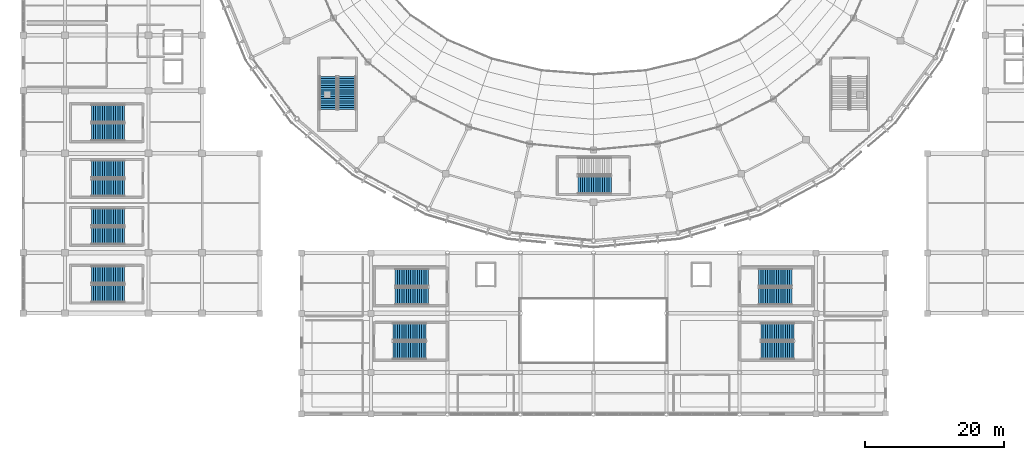
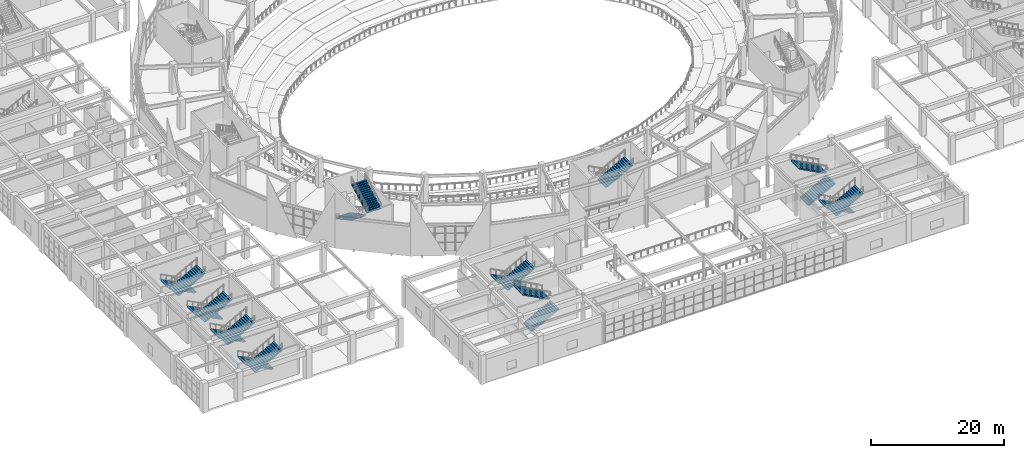
# One storey, part 86 of 120: 19 stair flights, 10 elements without a shape of their own.
"""IFC4 building model written with IfcOpenShell, lengths in metres."""

from ifc_helpers import new_model, si_unit, direction, frame, origin, place, context, subcontext, project, spatial, polyline, outline, extrude, material, type_object, element, aggregate, save


model = new_model("IFC4")

# Units and contexts
model_context = context("Model", 3, precision=1e-05, world=origin(), true_north=direction((0.0, 1.0)))
body_context = subcontext(model_context, "Body", "Model", "MODEL_VIEW")
ifc_project = project(units=[si_unit("LENGTHUNIT", "METRE"), si_unit("AREAUNIT", "SQUARE_METRE"), si_unit("VOLUMEUNIT", "CUBIC_METRE"), si_unit("PLANEANGLEUNIT", "RADIAN"), si_unit("MASSUNIT", "GRAM", prefix="KILO")], contexts=[model_context])

# Site, building, storey
site_placement = place(None, origin())
site = spatial("IfcSite", under=ifc_project, at=site_placement, CompositionType="ELEMENT")
building_placement = place(site_placement, origin())
building = spatial("IfcBuilding", under=site, at=building_placement, Name="Cuetzalor Civic Arena", CompositionType="ELEMENT")
storey_placement = place(building_placement, frame((0.0, 0.0, 6.0)))
storey = spatial("IfcBuildingStorey", under=building, at=storey_placement, Name="L01", CompositionType="ELEMENT", Elevation=6.0)

# Stair, stair flights
ifc_material_1 = material(Name="Precast concrete C40/50", Category="concrete")
stair_type = type_object("IfcStairType", Name="EnclosedExitStair_H540", PredefinedType="HALF_TURN_STAIR", material=ifc_material_1)
stair_1_placement = place(storey_placement, origin())
stair_1 = element("IfcStair", 1, at=stair_1_placement, inside=storey, type_object=stair_type, Name="L01 Enclosed Exit Stair ST-06", PredefinedType="HALF_TURN_STAIR")
ifc_material_2 = material(Name="Precast concrete C40/50", Category="concrete")
stair_flight_type = type_object("IfcStairFlightType", Name="ExitStairFlight_H540", PredefinedType="STRAIGHT", material=ifc_material_2)
stair_flight_1_placement = place(storey_placement, frame((-38.14990234375, -22.949951171875, 0.0), z_axis=(0.0, 0.0, 1.0), x_axis=(0.0, -1.0, 0.0)))
stair_flight_1 = element("IfcStairFlight", 2, at=stair_flight_1_placement, type_object=stair_flight_type, Name="ST-06 flight 1", NumberOfRisers=16, NumberOfTreads=15, PredefinedType="STRAIGHT", RiserHeight=0.16875, TreadLength=0.318, context=body_context, shape_type="SweptSolid", body=[
    extrude(outline(polyline([(0.0, 0.0), (0.0, 0.168701171875), (0.318115234375, 0.168701171875), (0.318115234375, 0.33740234375), (0.635986328125, 0.33740234375), (0.635986328125, 0.50634765625), (0.9541015625, 0.50634765625), (0.9541015625, 0.675048828125), (1.27197265625, 0.675048828125), (1.27197265625, 0.84375), (1.590087890625, 0.84375), (1.590087890625, 1.012451171875), (1.907958984375, 1.012451171875), (1.907958984375, 1.18115234375), (2.22607421875, 1.18115234375), (2.22607421875, 1.35009765625), (2.5439453125, 1.35009765625), (2.5439453125, 1.518798828125), (2.862060546875, 1.518798828125), (2.862060546875, 1.6875), (3.179931640625, 1.6875), (3.179931640625, 1.856201171875), (3.498046875, 1.856201171875), (3.498046875, 2.02490234375), (3.81591796875, 2.02490234375), (3.81591796875, 2.19384765625), (4.134033203125, 2.19384765625), (4.134033203125, 2.362548828125), (4.451904296875, 2.362548828125), (4.451904296875, 2.53125), (4.77001953125, 2.53125), (4.77001953125, 2.699951171875), (4.77001953125, 2.32763671875), (0.3837890625, 0.0), (0.0, 0.0)])), frame((0.0, 1.25, 0.0), z_axis=(0.0, -1.0, 0.0), x_axis=(1.0, 0.0, 0.0)), (0.0, 0.0, 1.0), 2.5),
])
stair_flight_2_placement = place(storey_placement, frame((-35.449951171875, -27.719970703125, 2.699951171875), z_axis=(0.0, 0.0, 1.0), x_axis=(0.0, 1.0, 0.0)))
stair_flight_2 = element("IfcStairFlight", 3, at=stair_flight_2_placement, type_object=stair_flight_type, Name="ST-06 flight 2", NumberOfRisers=16, NumberOfTreads=15, PredefinedType="STRAIGHT", RiserHeight=0.16875, TreadLength=0.318, context=body_context, shape_type="SweptSolid", body=[
    extrude(outline(polyline([(0.0, 0.0), (0.0, 0.168701171875), (0.318115234375, 0.168701171875), (0.318115234375, 0.33740234375), (0.635986328125, 0.33740234375), (0.635986328125, 0.50634765625), (0.9541015625, 0.50634765625), (0.9541015625, 0.675048828125), (1.27197265625, 0.675048828125), (1.27197265625, 0.84375), (1.590087890625, 0.84375), (1.590087890625, 1.012451171875), (1.907958984375, 1.012451171875), (1.907958984375, 1.18115234375), (2.22607421875, 1.18115234375), (2.22607421875, 1.35009765625), (2.5439453125, 1.35009765625), (2.5439453125, 1.518798828125), (2.862060546875, 1.518798828125), (2.862060546875, 1.6875), (3.179931640625, 1.6875), (3.179931640625, 1.856201171875), (3.498046875, 1.856201171875), (3.498046875, 2.02490234375), (3.81591796875, 2.02490234375), (3.81591796875, 2.19384765625), (4.134033203125, 2.19384765625), (4.134033203125, 2.362548828125), (4.451904296875, 2.362548828125), (4.451904296875, 2.53125), (4.77001953125, 2.53125), (4.77001953125, 2.699951171875), (4.77001953125, 2.32763671875), (0.3837890625, 0.0), (0.0, 0.0)])), frame((0.0, 1.25, 0.0), z_axis=(0.0, -1.0, 0.0), x_axis=(1.0, 0.0, 0.0)), (0.0, 0.0, 1.0), 2.5),
])
aggregate(stair_1, [stair_flight_1, stair_flight_2])

# Stair, stair flight
stair_2_placement = place(storey_placement, origin())
stair_2 = element("IfcStair", 4, at=stair_2_placement, inside=storey, type_object=stair_type, Name="L01 Enclosed Exit Stair ST-07", PredefinedType="HALF_TURN_STAIR")
stair_flight_3_placement = place(storey_placement, frame((-2.219970703125, -38.550048828125, 2.699951171875), z_axis=(0.0, 0.0, 1.0), x_axis=(1.0, 0.0, 0.0)))
stair_flight_3 = element("IfcStairFlight", 5, at=stair_flight_3_placement, type_object=stair_flight_type, Name="ST-07 flight 2", NumberOfRisers=16, NumberOfTreads=15, PredefinedType="STRAIGHT", RiserHeight=0.16875, TreadLength=0.318, context=body_context, shape_type="SweptSolid", body=[
    extrude(outline(polyline([(0.0, 0.0), (0.0, 0.168701171875), (0.318115234375, 0.168701171875), (0.318115234375, 0.33740234375), (0.635986328125, 0.33740234375), (0.635986328125, 0.50634765625), (0.9541015625, 0.50634765625), (0.9541015625, 0.675048828125), (1.27197265625, 0.675048828125), (1.27197265625, 0.84375), (1.590087890625, 0.84375), (1.590087890625, 1.012451171875), (1.907958984375, 1.012451171875), (1.907958984375, 1.18115234375), (2.22607421875, 1.18115234375), (2.22607421875, 1.35009765625), (2.5439453125, 1.35009765625), (2.5439453125, 1.518798828125), (2.862060546875, 1.518798828125), (2.862060546875, 1.6875), (3.179931640625, 1.6875), (3.179931640625, 1.856201171875), (3.498046875, 1.856201171875), (3.498046875, 2.02490234375), (3.81591796875, 2.02490234375), (3.81591796875, 2.19384765625), (4.134033203125, 2.19384765625), (4.134033203125, 2.362548828125), (4.451904296875, 2.362548828125), (4.451904296875, 2.53125), (4.77001953125, 2.53125), (4.77001953125, 2.699951171875), (4.77001953125, 2.32763671875), (0.3837890625, 0.0), (0.0, 0.0)])), frame((0.0, 1.25, 0.0), z_axis=(0.0, -1.0, 0.0), x_axis=(1.0, 0.0, 0.0)), (0.0, 0.0, 1.0), 2.5),
])
aggregate(stair_2, [stair_flight_3])

# Stair, stair flights
stair_3_placement = place(storey_placement, origin())
stair_3 = element("IfcStair", 6, at=stair_3_placement, inside=storey, type_object=stair_type, Name="L01 Enclosed Exit Stair ST-09", PredefinedType="HALF_TURN_STAIR")
stair_flight_4_placement = place(storey_placement, frame((-28.85009765625, -62.35009765625, 0.0), z_axis=(0.0, 0.0, 1.0), x_axis=(1.0, 0.0, 0.0)))
stair_flight_4 = element("IfcStairFlight", 7, at=stair_flight_4_placement, type_object=stair_flight_type, Name="ST-09 flight 1", NumberOfRisers=16, NumberOfTreads=15, PredefinedType="STRAIGHT", RiserHeight=0.16875, TreadLength=0.318, context=body_context, shape_type="SweptSolid", body=[
    extrude(outline(polyline([(0.0, 0.0), (0.0, 0.168701171875), (0.318115234375, 0.168701171875), (0.318115234375, 0.33740234375), (0.635986328125, 0.33740234375), (0.635986328125, 0.50634765625), (0.9541015625, 0.50634765625), (0.9541015625, 0.675048828125), (1.27197265625, 0.675048828125), (1.27197265625, 0.84375), (1.590087890625, 0.84375), (1.590087890625, 1.012451171875), (1.907958984375, 1.012451171875), (1.907958984375, 1.18115234375), (2.22607421875, 1.18115234375), (2.22607421875, 1.35009765625), (2.5439453125, 1.35009765625), (2.5439453125, 1.518798828125), (2.862060546875, 1.518798828125), (2.862060546875, 1.6875), (3.179931640625, 1.6875), (3.179931640625, 1.856201171875), (3.498046875, 1.856201171875), (3.498046875, 2.02490234375), (3.81591796875, 2.02490234375), (3.81591796875, 2.19384765625), (4.134033203125, 2.19384765625), (4.134033203125, 2.362548828125), (4.451904296875, 2.362548828125), (4.451904296875, 2.53125), (4.77001953125, 2.53125), (4.77001953125, 2.699951171875), (4.77001953125, 2.32763671875), (0.3837890625, 0.0), (0.0, 0.0)])), frame((0.0, 1.25, 0.0), z_axis=(0.0, -1.0, 0.0), x_axis=(1.0, 0.0, 0.0)), (0.0, 0.0, 1.0), 2.5),
])
stair_flight_5_placement = place(storey_placement, frame((-24.080078125, -59.64990234375, 2.699951171875), z_axis=(0.0, 0.0, 1.0), x_axis=(-1.0, 0.0, 0.0)))
stair_flight_5 = element("IfcStairFlight", 8, at=stair_flight_5_placement, type_object=stair_flight_type, Name="ST-09 flight 2", NumberOfRisers=16, NumberOfTreads=15, PredefinedType="STRAIGHT", RiserHeight=0.16875, TreadLength=0.318, context=body_context, shape_type="SweptSolid", body=[
    extrude(outline(polyline([(0.0, 0.0), (0.0, 0.168701171875), (0.318115234375, 0.168701171875), (0.318115234375, 0.33740234375), (0.635986328125, 0.33740234375), (0.635986328125, 0.50634765625), (0.9541015625, 0.50634765625), (0.9541015625, 0.675048828125), (1.27197265625, 0.675048828125), (1.27197265625, 0.84375), (1.590087890625, 0.84375), (1.590087890625, 1.012451171875), (1.907958984375, 1.012451171875), (1.907958984375, 1.18115234375), (2.22607421875, 1.18115234375), (2.22607421875, 1.35009765625), (2.5439453125, 1.35009765625), (2.5439453125, 1.518798828125), (2.862060546875, 1.518798828125), (2.862060546875, 1.6875), (3.179931640625, 1.6875), (3.179931640625, 1.856201171875), (3.498046875, 1.856201171875), (3.498046875, 2.02490234375), (3.81591796875, 2.02490234375), (3.81591796875, 2.19384765625), (4.134033203125, 2.19384765625), (4.134033203125, 2.362548828125), (4.451904296875, 2.362548828125), (4.451904296875, 2.53125), (4.77001953125, 2.53125), (4.77001953125, 2.699951171875), (4.77001953125, 2.32763671875), (0.3837890625, 0.0), (0.0, 0.0)])), frame((0.0, 1.25, 0.0), z_axis=(0.0, -1.0, 0.0), x_axis=(1.0, 0.0, 0.0)), (0.0, 0.0, 1.0), 2.5),
])
aggregate(stair_3, [stair_flight_4, stair_flight_5])

stair_4_placement = place(storey_placement, origin())
stair_4 = element("IfcStair", 9, at=stair_4_placement, inside=storey, type_object=stair_type, Name="L01 Enclosed Exit Stair ST-10", PredefinedType="HALF_TURN_STAIR")
stair_flight_6_placement = place(storey_placement, frame((-23.75, -51.85009765625, 0.0), z_axis=(0.0, 0.0, 1.0), x_axis=(-1.0, 0.0, 0.0)))
stair_flight_6 = element("IfcStairFlight", 10, at=stair_flight_6_placement, type_object=stair_flight_type, Name="ST-10 flight 1", NumberOfRisers=16, NumberOfTreads=15, PredefinedType="STRAIGHT", RiserHeight=0.16875, TreadLength=0.318, context=body_context, shape_type="SweptSolid", body=[
    extrude(outline(polyline([(0.0, 0.0), (0.0, 0.168701171875), (0.318115234375, 0.168701171875), (0.318115234375, 0.33740234375), (0.635986328125, 0.33740234375), (0.635986328125, 0.50634765625), (0.9541015625, 0.50634765625), (0.9541015625, 0.675048828125), (1.27197265625, 0.675048828125), (1.27197265625, 0.84375), (1.590087890625, 0.84375), (1.590087890625, 1.012451171875), (1.907958984375, 1.012451171875), (1.907958984375, 1.18115234375), (2.22607421875, 1.18115234375), (2.22607421875, 1.35009765625), (2.5439453125, 1.35009765625), (2.5439453125, 1.518798828125), (2.862060546875, 1.518798828125), (2.862060546875, 1.6875), (3.179931640625, 1.6875), (3.179931640625, 1.856201171875), (3.498046875, 1.856201171875), (3.498046875, 2.02490234375), (3.81591796875, 2.02490234375), (3.81591796875, 2.19384765625), (4.134033203125, 2.19384765625), (4.134033203125, 2.362548828125), (4.451904296875, 2.362548828125), (4.451904296875, 2.53125), (4.77001953125, 2.53125), (4.77001953125, 2.699951171875), (4.77001953125, 2.32763671875), (0.3837890625, 0.0), (0.0, 0.0)])), frame((0.0, 1.25, 0.0), z_axis=(0.0, -1.0, 0.0), x_axis=(1.0, 0.0, 0.0)), (0.0, 0.0, 1.0), 2.5),
])
stair_flight_7_placement = place(storey_placement, frame((-28.52001953125, -54.550048828125, 2.699951171875), z_axis=(0.0, 0.0, 1.0), x_axis=(1.0, 0.0, 0.0)))
stair_flight_7 = element("IfcStairFlight", 11, at=stair_flight_7_placement, type_object=stair_flight_type, Name="ST-10 flight 2", NumberOfRisers=16, NumberOfTreads=15, PredefinedType="STRAIGHT", RiserHeight=0.16875, TreadLength=0.318, context=body_context, shape_type="SweptSolid", body=[
    extrude(outline(polyline([(0.0, 0.0), (0.0, 0.168701171875), (0.318115234375, 0.168701171875), (0.318115234375, 0.33740234375), (0.635986328125, 0.33740234375), (0.635986328125, 0.50634765625), (0.9541015625, 0.50634765625), (0.9541015625, 0.675048828125), (1.27197265625, 0.675048828125), (1.27197265625, 0.84375), (1.590087890625, 0.84375), (1.590087890625, 1.012451171875), (1.907958984375, 1.012451171875), (1.907958984375, 1.18115234375), (2.22607421875, 1.18115234375), (2.22607421875, 1.35009765625), (2.5439453125, 1.35009765625), (2.5439453125, 1.518798828125), (2.862060546875, 1.518798828125), (2.862060546875, 1.6875), (3.179931640625, 1.6875), (3.179931640625, 1.856201171875), (3.498046875, 1.856201171875), (3.498046875, 2.02490234375), (3.81591796875, 2.02490234375), (3.81591796875, 2.19384765625), (4.134033203125, 2.19384765625), (4.134033203125, 2.362548828125), (4.451904296875, 2.362548828125), (4.451904296875, 2.53125), (4.77001953125, 2.53125), (4.77001953125, 2.699951171875), (4.77001953125, 2.32763671875), (0.3837890625, 0.0), (0.0, 0.0)])), frame((0.0, 1.25, 0.0), z_axis=(0.0, -1.0, 0.0), x_axis=(1.0, 0.0, 0.0)), (0.0, 0.0, 1.0), 2.5),
])
aggregate(stair_4, [stair_flight_6, stair_flight_7])

stair_5_placement = place(storey_placement, origin())
stair_5 = element("IfcStair", 12, at=stair_5_placement, inside=storey, type_object=stair_type, Name="L01 Enclosed Exit Stair ST-11", PredefinedType="HALF_TURN_STAIR")
stair_flight_8_placement = place(storey_placement, frame((23.75, -54.550048828125, 0.0), z_axis=(0.0, 0.0, 1.0), x_axis=(1.0, 0.0, 0.0)))
stair_flight_8 = element("IfcStairFlight", 13, at=stair_flight_8_placement, type_object=stair_flight_type, Name="ST-11 flight 1", NumberOfRisers=16, NumberOfTreads=15, PredefinedType="STRAIGHT", RiserHeight=0.16875, TreadLength=0.318, context=body_context, shape_type="SweptSolid", body=[
    extrude(outline(polyline([(0.0, 0.0), (0.0, 0.168701171875), (0.318115234375, 0.168701171875), (0.318115234375, 0.33740234375), (0.635986328125, 0.33740234375), (0.635986328125, 0.50634765625), (0.9541015625, 0.50634765625), (0.9541015625, 0.675048828125), (1.27197265625, 0.675048828125), (1.27197265625, 0.84375), (1.590087890625, 0.84375), (1.590087890625, 1.012451171875), (1.907958984375, 1.012451171875), (1.907958984375, 1.18115234375), (2.22607421875, 1.18115234375), (2.22607421875, 1.35009765625), (2.5439453125, 1.35009765625), (2.5439453125, 1.518798828125), (2.862060546875, 1.518798828125), (2.862060546875, 1.6875), (3.179931640625, 1.6875), (3.179931640625, 1.856201171875), (3.498046875, 1.856201171875), (3.498046875, 2.02490234375), (3.81591796875, 2.02490234375), (3.81591796875, 2.19384765625), (4.134033203125, 2.19384765625), (4.134033203125, 2.362548828125), (4.451904296875, 2.362548828125), (4.451904296875, 2.53125), (4.77001953125, 2.53125), (4.77001953125, 2.699951171875), (4.77001953125, 2.32763671875), (0.3837890625, 0.0), (0.0, 0.0)])), frame((0.0, 1.25, 0.0), z_axis=(0.0, -1.0, 0.0), x_axis=(1.0, 0.0, 0.0)), (0.0, 0.0, 1.0), 2.5),
])
stair_flight_9_placement = place(storey_placement, frame((28.52001953125, -51.85009765625, 2.699951171875), z_axis=(0.0, 0.0, 1.0), x_axis=(-1.0, 0.0, 0.0)))
stair_flight_9 = element("IfcStairFlight", 14, at=stair_flight_9_placement, type_object=stair_flight_type, Name="ST-11 flight 2", NumberOfRisers=16, NumberOfTreads=15, PredefinedType="STRAIGHT", RiserHeight=0.16875, TreadLength=0.318, context=body_context, shape_type="SweptSolid", body=[
    extrude(outline(polyline([(0.0, 0.0), (0.0, 0.168701171875), (0.318115234375, 0.168701171875), (0.318115234375, 0.33740234375), (0.635986328125, 0.33740234375), (0.635986328125, 0.50634765625), (0.9541015625, 0.50634765625), (0.9541015625, 0.675048828125), (1.27197265625, 0.675048828125), (1.27197265625, 0.84375), (1.590087890625, 0.84375), (1.590087890625, 1.012451171875), (1.907958984375, 1.012451171875), (1.907958984375, 1.18115234375), (2.22607421875, 1.18115234375), (2.22607421875, 1.35009765625), (2.5439453125, 1.35009765625), (2.5439453125, 1.518798828125), (2.862060546875, 1.518798828125), (2.862060546875, 1.6875), (3.179931640625, 1.6875), (3.179931640625, 1.856201171875), (3.498046875, 1.856201171875), (3.498046875, 2.02490234375), (3.81591796875, 2.02490234375), (3.81591796875, 2.19384765625), (4.134033203125, 2.19384765625), (4.134033203125, 2.362548828125), (4.451904296875, 2.362548828125), (4.451904296875, 2.53125), (4.77001953125, 2.53125), (4.77001953125, 2.699951171875), (4.77001953125, 2.32763671875), (0.3837890625, 0.0), (0.0, 0.0)])), frame((0.0, 1.25, 0.0), z_axis=(0.0, -1.0, 0.0), x_axis=(1.0, 0.0, 0.0)), (0.0, 0.0, 1.0), 2.5),
])
aggregate(stair_5, [stair_flight_8, stair_flight_9])

stair_6_placement = place(storey_placement, origin())
stair_6 = element("IfcStair", 15, at=stair_6_placement, inside=storey, type_object=stair_type, Name="L01 Enclosed Exit Stair ST-12", PredefinedType="HALF_TURN_STAIR")
stair_flight_10_placement = place(storey_placement, frame((28.85009765625, -59.64990234375, 0.0), z_axis=(0.0, 0.0, 1.0), x_axis=(-1.0, 0.0, 0.0)))
stair_flight_10 = element("IfcStairFlight", 16, at=stair_flight_10_placement, type_object=stair_flight_type, Name="ST-12 flight 1", NumberOfRisers=16, NumberOfTreads=15, PredefinedType="STRAIGHT", RiserHeight=0.16875, TreadLength=0.318, context=body_context, shape_type="SweptSolid", body=[
    extrude(outline(polyline([(0.0, 0.0), (0.0, 0.168701171875), (0.318115234375, 0.168701171875), (0.318115234375, 0.33740234375), (0.635986328125, 0.33740234375), (0.635986328125, 0.50634765625), (0.9541015625, 0.50634765625), (0.9541015625, 0.675048828125), (1.27197265625, 0.675048828125), (1.27197265625, 0.84375), (1.590087890625, 0.84375), (1.590087890625, 1.012451171875), (1.907958984375, 1.012451171875), (1.907958984375, 1.18115234375), (2.22607421875, 1.18115234375), (2.22607421875, 1.35009765625), (2.5439453125, 1.35009765625), (2.5439453125, 1.518798828125), (2.862060546875, 1.518798828125), (2.862060546875, 1.6875), (3.179931640625, 1.6875), (3.179931640625, 1.856201171875), (3.498046875, 1.856201171875), (3.498046875, 2.02490234375), (3.81591796875, 2.02490234375), (3.81591796875, 2.19384765625), (4.134033203125, 2.19384765625), (4.134033203125, 2.362548828125), (4.451904296875, 2.362548828125), (4.451904296875, 2.53125), (4.77001953125, 2.53125), (4.77001953125, 2.699951171875), (4.77001953125, 2.32763671875), (0.3837890625, 0.0), (0.0, 0.0)])), frame((0.0, 1.25, 0.0), z_axis=(0.0, -1.0, 0.0), x_axis=(1.0, 0.0, 0.0)), (0.0, 0.0, 1.0), 2.5),
])
stair_flight_11_placement = place(storey_placement, frame((24.080078125, -62.35009765625, 2.699951171875), z_axis=(0.0, 0.0, 1.0), x_axis=(1.0, 0.0, 0.0)))
stair_flight_11 = element("IfcStairFlight", 17, at=stair_flight_11_placement, type_object=stair_flight_type, Name="ST-12 flight 2", NumberOfRisers=16, NumberOfTreads=15, PredefinedType="STRAIGHT", RiserHeight=0.16875, TreadLength=0.318, context=body_context, shape_type="SweptSolid", body=[
    extrude(outline(polyline([(0.0, 0.0), (0.0, 0.168701171875), (0.318115234375, 0.168701171875), (0.318115234375, 0.33740234375), (0.635986328125, 0.33740234375), (0.635986328125, 0.50634765625), (0.9541015625, 0.50634765625), (0.9541015625, 0.675048828125), (1.27197265625, 0.675048828125), (1.27197265625, 0.84375), (1.590087890625, 0.84375), (1.590087890625, 1.012451171875), (1.907958984375, 1.012451171875), (1.907958984375, 1.18115234375), (2.22607421875, 1.18115234375), (2.22607421875, 1.35009765625), (2.5439453125, 1.35009765625), (2.5439453125, 1.518798828125), (2.862060546875, 1.518798828125), (2.862060546875, 1.6875), (3.179931640625, 1.6875), (3.179931640625, 1.856201171875), (3.498046875, 1.856201171875), (3.498046875, 2.02490234375), (3.81591796875, 2.02490234375), (3.81591796875, 2.19384765625), (4.134033203125, 2.19384765625), (4.134033203125, 2.362548828125), (4.451904296875, 2.362548828125), (4.451904296875, 2.53125), (4.77001953125, 2.53125), (4.77001953125, 2.699951171875), (4.77001953125, 2.32763671875), (0.3837890625, 0.0), (0.0, 0.0)])), frame((0.0, 1.25, 0.0), z_axis=(0.0, -1.0, 0.0), x_axis=(1.0, 0.0, 0.0)), (0.0, 0.0, 1.0), 2.5),
])
aggregate(stair_6, [stair_flight_10, stair_flight_11])

stair_7_placement = place(storey_placement, origin())
stair_7 = element("IfcStair", 18, at=stair_7_placement, inside=storey, type_object=stair_type, Name="L01 Enclosed Exit Stair ST-13", PredefinedType="HALF_TURN_STAIR")
stair_flight_12_placement = place(storey_placement, frame((-67.449951171875, -51.449951171875, 0.0), z_axis=(0.0, 0.0, 1.0), x_axis=(-1.0, 0.0, 0.0)))
stair_flight_12 = element("IfcStairFlight", 19, at=stair_flight_12_placement, type_object=stair_flight_type, Name="ST-13 flight 1", NumberOfRisers=16, NumberOfTreads=15, PredefinedType="STRAIGHT", RiserHeight=0.16875, TreadLength=0.318, context=body_context, shape_type="SweptSolid", body=[
    extrude(outline(polyline([(0.0, 0.0), (0.0, 0.168701171875), (0.318115234375, 0.168701171875), (0.318115234375, 0.33740234375), (0.635986328125, 0.33740234375), (0.635986328125, 0.50634765625), (0.9541015625, 0.50634765625), (0.9541015625, 0.675048828125), (1.27197265625, 0.675048828125), (1.27197265625, 0.84375), (1.590087890625, 0.84375), (1.590087890625, 1.012451171875), (1.907958984375, 1.012451171875), (1.907958984375, 1.18115234375), (2.22607421875, 1.18115234375), (2.22607421875, 1.35009765625), (2.5439453125, 1.35009765625), (2.5439453125, 1.518798828125), (2.862060546875, 1.518798828125), (2.862060546875, 1.6875), (3.179931640625, 1.6875), (3.179931640625, 1.856201171875), (3.498046875, 1.856201171875), (3.498046875, 2.02490234375), (3.81591796875, 2.02490234375), (3.81591796875, 2.19384765625), (4.134033203125, 2.19384765625), (4.134033203125, 2.362548828125), (4.451904296875, 2.362548828125), (4.451904296875, 2.53125), (4.77001953125, 2.53125), (4.77001953125, 2.699951171875), (4.77001953125, 2.32763671875), (0.3837890625, 0.0), (0.0, 0.0)])), frame((0.0, 1.25, 0.0), z_axis=(0.0, -1.0, 0.0), x_axis=(1.0, 0.0, 0.0)), (0.0, 0.0, 1.0), 2.5),
])
stair_flight_13_placement = place(storey_placement, frame((-72.219970703125, -54.14990234375, 2.699951171875), z_axis=(0.0, 0.0, 1.0), x_axis=(1.0, 0.0, 0.0)))
stair_flight_13 = element("IfcStairFlight", 20, at=stair_flight_13_placement, type_object=stair_flight_type, Name="ST-13 flight 2", NumberOfRisers=16, NumberOfTreads=15, PredefinedType="STRAIGHT", RiserHeight=0.16875, TreadLength=0.318, context=body_context, shape_type="SweptSolid", body=[
    extrude(outline(polyline([(0.0, 0.0), (0.0, 0.168701171875), (0.318115234375, 0.168701171875), (0.318115234375, 0.33740234375), (0.635986328125, 0.33740234375), (0.635986328125, 0.50634765625), (0.9541015625, 0.50634765625), (0.9541015625, 0.675048828125), (1.27197265625, 0.675048828125), (1.27197265625, 0.84375), (1.590087890625, 0.84375), (1.590087890625, 1.012451171875), (1.907958984375, 1.012451171875), (1.907958984375, 1.18115234375), (2.22607421875, 1.18115234375), (2.22607421875, 1.35009765625), (2.5439453125, 1.35009765625), (2.5439453125, 1.518798828125), (2.862060546875, 1.518798828125), (2.862060546875, 1.6875), (3.179931640625, 1.6875), (3.179931640625, 1.856201171875), (3.498046875, 1.856201171875), (3.498046875, 2.02490234375), (3.81591796875, 2.02490234375), (3.81591796875, 2.19384765625), (4.134033203125, 2.19384765625), (4.134033203125, 2.362548828125), (4.451904296875, 2.362548828125), (4.451904296875, 2.53125), (4.77001953125, 2.53125), (4.77001953125, 2.699951171875), (4.77001953125, 2.32763671875), (0.3837890625, 0.0), (0.0, 0.0)])), frame((0.0, 1.25, 0.0), z_axis=(0.0, -1.0, 0.0), x_axis=(1.0, 0.0, 0.0)), (0.0, 0.0, 1.0), 2.5),
])
aggregate(stair_7, [stair_flight_12, stair_flight_13])

stair_8_placement = place(storey_placement, origin())
stair_8 = element("IfcStair", 21, at=stair_8_placement, inside=storey, type_object=stair_type, Name="L01 Enclosed Exit Stair ST-14", PredefinedType="HALF_TURN_STAIR")
stair_flight_14_placement = place(storey_placement, frame((-67.449951171875, -43.14990234375, 0.0), z_axis=(0.0, 0.0, 1.0), x_axis=(-1.0, 0.0, 0.0)))
stair_flight_14 = element("IfcStairFlight", 22, at=stair_flight_14_placement, type_object=stair_flight_type, Name="ST-14 flight 1", NumberOfRisers=16, NumberOfTreads=15, PredefinedType="STRAIGHT", RiserHeight=0.16875, TreadLength=0.318, context=body_context, shape_type="SweptSolid", body=[
    extrude(outline(polyline([(0.0, 0.0), (0.0, 0.168701171875), (0.318115234375, 0.168701171875), (0.318115234375, 0.33740234375), (0.635986328125, 0.33740234375), (0.635986328125, 0.50634765625), (0.9541015625, 0.50634765625), (0.9541015625, 0.675048828125), (1.27197265625, 0.675048828125), (1.27197265625, 0.84375), (1.590087890625, 0.84375), (1.590087890625, 1.012451171875), (1.907958984375, 1.012451171875), (1.907958984375, 1.18115234375), (2.22607421875, 1.18115234375), (2.22607421875, 1.35009765625), (2.5439453125, 1.35009765625), (2.5439453125, 1.518798828125), (2.862060546875, 1.518798828125), (2.862060546875, 1.6875), (3.179931640625, 1.6875), (3.179931640625, 1.856201171875), (3.498046875, 1.856201171875), (3.498046875, 2.02490234375), (3.81591796875, 2.02490234375), (3.81591796875, 2.19384765625), (4.134033203125, 2.19384765625), (4.134033203125, 2.362548828125), (4.451904296875, 2.362548828125), (4.451904296875, 2.53125), (4.77001953125, 2.53125), (4.77001953125, 2.699951171875), (4.77001953125, 2.32763671875), (0.3837890625, 0.0), (0.0, 0.0)])), frame((0.0, 1.25, 0.0), z_axis=(0.0, -1.0, 0.0), x_axis=(1.0, 0.0, 0.0)), (0.0, 0.0, 1.0), 2.5),
])
stair_flight_15_placement = place(storey_placement, frame((-72.219970703125, -45.85009765625, 2.699951171875), z_axis=(0.0, 0.0, 1.0), x_axis=(1.0, 0.0, 0.0)))
stair_flight_15 = element("IfcStairFlight", 23, at=stair_flight_15_placement, type_object=stair_flight_type, Name="ST-14 flight 2", NumberOfRisers=16, NumberOfTreads=15, PredefinedType="STRAIGHT", RiserHeight=0.16875, TreadLength=0.318, context=body_context, shape_type="SweptSolid", body=[
    extrude(outline(polyline([(0.0, 0.0), (0.0, 0.168701171875), (0.318115234375, 0.168701171875), (0.318115234375, 0.33740234375), (0.635986328125, 0.33740234375), (0.635986328125, 0.50634765625), (0.9541015625, 0.50634765625), (0.9541015625, 0.675048828125), (1.27197265625, 0.675048828125), (1.27197265625, 0.84375), (1.590087890625, 0.84375), (1.590087890625, 1.012451171875), (1.907958984375, 1.012451171875), (1.907958984375, 1.18115234375), (2.22607421875, 1.18115234375), (2.22607421875, 1.35009765625), (2.5439453125, 1.35009765625), (2.5439453125, 1.518798828125), (2.862060546875, 1.518798828125), (2.862060546875, 1.6875), (3.179931640625, 1.6875), (3.179931640625, 1.856201171875), (3.498046875, 1.856201171875), (3.498046875, 2.02490234375), (3.81591796875, 2.02490234375), (3.81591796875, 2.19384765625), (4.134033203125, 2.19384765625), (4.134033203125, 2.362548828125), (4.451904296875, 2.362548828125), (4.451904296875, 2.53125), (4.77001953125, 2.53125), (4.77001953125, 2.699951171875), (4.77001953125, 2.32763671875), (0.3837890625, 0.0), (0.0, 0.0)])), frame((0.0, 1.25, 0.0), z_axis=(0.0, -1.0, 0.0), x_axis=(1.0, 0.0, 0.0)), (0.0, 0.0, 1.0), 2.5),
])
aggregate(stair_8, [stair_flight_14, stair_flight_15])

stair_9_placement = place(storey_placement, origin())
stair_9 = element("IfcStair", 24, at=stair_9_placement, inside=storey, type_object=stair_type, Name="L01 Enclosed Exit Stair ST-15", PredefinedType="HALF_TURN_STAIR")
stair_flight_16_placement = place(storey_placement, frame((-67.449951171875, -36.25, 0.0), z_axis=(0.0, 0.0, 1.0), x_axis=(-1.0, 0.0, 0.0)))
stair_flight_16 = element("IfcStairFlight", 25, at=stair_flight_16_placement, type_object=stair_flight_type, Name="ST-15 flight 1", NumberOfRisers=16, NumberOfTreads=15, PredefinedType="STRAIGHT", RiserHeight=0.16875, TreadLength=0.318, context=body_context, shape_type="SweptSolid", body=[
    extrude(outline(polyline([(0.0, 0.0), (0.0, 0.168701171875), (0.318115234375, 0.168701171875), (0.318115234375, 0.33740234375), (0.635986328125, 0.33740234375), (0.635986328125, 0.50634765625), (0.9541015625, 0.50634765625), (0.9541015625, 0.675048828125), (1.27197265625, 0.675048828125), (1.27197265625, 0.84375), (1.590087890625, 0.84375), (1.590087890625, 1.012451171875), (1.907958984375, 1.012451171875), (1.907958984375, 1.18115234375), (2.22607421875, 1.18115234375), (2.22607421875, 1.35009765625), (2.5439453125, 1.35009765625), (2.5439453125, 1.518798828125), (2.862060546875, 1.518798828125), (2.862060546875, 1.6875), (3.179931640625, 1.6875), (3.179931640625, 1.856201171875), (3.498046875, 1.856201171875), (3.498046875, 2.02490234375), (3.81591796875, 2.02490234375), (3.81591796875, 2.19384765625), (4.134033203125, 2.19384765625), (4.134033203125, 2.362548828125), (4.451904296875, 2.362548828125), (4.451904296875, 2.53125), (4.77001953125, 2.53125), (4.77001953125, 2.699951171875), (4.77001953125, 2.32763671875), (0.3837890625, 0.0), (0.0, 0.0)])), frame((0.0, 1.25, 0.0), z_axis=(0.0, -1.0, 0.0), x_axis=(1.0, 0.0, 0.0)), (0.0, 0.0, 1.0), 2.5),
])
stair_flight_17_placement = place(storey_placement, frame((-72.219970703125, -38.949951171875, 2.699951171875), z_axis=(0.0, 0.0, 1.0), x_axis=(1.0, 0.0, 0.0)))
stair_flight_17 = element("IfcStairFlight", 26, at=stair_flight_17_placement, type_object=stair_flight_type, Name="ST-15 flight 2", NumberOfRisers=16, NumberOfTreads=15, PredefinedType="STRAIGHT", RiserHeight=0.16875, TreadLength=0.318, context=body_context, shape_type="SweptSolid", body=[
    extrude(outline(polyline([(0.0, 0.0), (0.0, 0.168701171875), (0.318115234375, 0.168701171875), (0.318115234375, 0.33740234375), (0.635986328125, 0.33740234375), (0.635986328125, 0.50634765625), (0.9541015625, 0.50634765625), (0.9541015625, 0.675048828125), (1.27197265625, 0.675048828125), (1.27197265625, 0.84375), (1.590087890625, 0.84375), (1.590087890625, 1.012451171875), (1.907958984375, 1.012451171875), (1.907958984375, 1.18115234375), (2.22607421875, 1.18115234375), (2.22607421875, 1.35009765625), (2.5439453125, 1.35009765625), (2.5439453125, 1.518798828125), (2.862060546875, 1.518798828125), (2.862060546875, 1.6875), (3.179931640625, 1.6875), (3.179931640625, 1.856201171875), (3.498046875, 1.856201171875), (3.498046875, 2.02490234375), (3.81591796875, 2.02490234375), (3.81591796875, 2.19384765625), (4.134033203125, 2.19384765625), (4.134033203125, 2.362548828125), (4.451904296875, 2.362548828125), (4.451904296875, 2.53125), (4.77001953125, 2.53125), (4.77001953125, 2.699951171875), (4.77001953125, 2.32763671875), (0.3837890625, 0.0), (0.0, 0.0)])), frame((0.0, 1.25, 0.0), z_axis=(0.0, -1.0, 0.0), x_axis=(1.0, 0.0, 0.0)), (0.0, 0.0, 1.0), 2.5),
])
aggregate(stair_9, [stair_flight_16, stair_flight_17])

stair_10_placement = place(storey_placement, origin())
stair_10 = element("IfcStair", 27, at=stair_10_placement, inside=storey, type_object=stair_type, Name="L01 Enclosed Exit Stair ST-16", PredefinedType="HALF_TURN_STAIR")
stair_flight_18_placement = place(storey_placement, frame((-67.449951171875, -28.25, 0.0), z_axis=(0.0, 0.0, 1.0), x_axis=(-1.0, 0.0, 0.0)))
stair_flight_18 = element("IfcStairFlight", 28, at=stair_flight_18_placement, type_object=stair_flight_type, Name="ST-16 flight 1", NumberOfRisers=16, NumberOfTreads=15, PredefinedType="STRAIGHT", RiserHeight=0.16875, TreadLength=0.318, context=body_context, shape_type="SweptSolid", body=[
    extrude(outline(polyline([(0.0, 0.0), (0.0, 0.168701171875), (0.318115234375, 0.168701171875), (0.318115234375, 0.33740234375), (0.635986328125, 0.33740234375), (0.635986328125, 0.50634765625), (0.9541015625, 0.50634765625), (0.9541015625, 0.675048828125), (1.27197265625, 0.675048828125), (1.27197265625, 0.84375), (1.590087890625, 0.84375), (1.590087890625, 1.012451171875), (1.907958984375, 1.012451171875), (1.907958984375, 1.18115234375), (2.22607421875, 1.18115234375), (2.22607421875, 1.35009765625), (2.5439453125, 1.35009765625), (2.5439453125, 1.518798828125), (2.862060546875, 1.518798828125), (2.862060546875, 1.6875), (3.179931640625, 1.6875), (3.179931640625, 1.856201171875), (3.498046875, 1.856201171875), (3.498046875, 2.02490234375), (3.81591796875, 2.02490234375), (3.81591796875, 2.19384765625), (4.134033203125, 2.19384765625), (4.134033203125, 2.362548828125), (4.451904296875, 2.362548828125), (4.451904296875, 2.53125), (4.77001953125, 2.53125), (4.77001953125, 2.699951171875), (4.77001953125, 2.32763671875), (0.3837890625, 0.0), (0.0, 0.0)])), frame((0.0, 1.25, 0.0), z_axis=(0.0, -1.0, 0.0), x_axis=(1.0, 0.0, 0.0)), (0.0, 0.0, 1.0), 2.5),
])
stair_flight_19_placement = place(storey_placement, frame((-72.219970703125, -30.949951171875, 2.699951171875), z_axis=(0.0, 0.0, 1.0), x_axis=(1.0, 0.0, 0.0)))
stair_flight_19 = element("IfcStairFlight", 29, at=stair_flight_19_placement, type_object=stair_flight_type, Name="ST-16 flight 2", NumberOfRisers=16, NumberOfTreads=15, PredefinedType="STRAIGHT", RiserHeight=0.16875, TreadLength=0.318, context=body_context, shape_type="SweptSolid", body=[
    extrude(outline(polyline([(0.0, 0.0), (0.0, 0.168701171875), (0.318115234375, 0.168701171875), (0.318115234375, 0.33740234375), (0.635986328125, 0.33740234375), (0.635986328125, 0.50634765625), (0.9541015625, 0.50634765625), (0.9541015625, 0.675048828125), (1.27197265625, 0.675048828125), (1.27197265625, 0.84375), (1.590087890625, 0.84375), (1.590087890625, 1.012451171875), (1.907958984375, 1.012451171875), (1.907958984375, 1.18115234375), (2.22607421875, 1.18115234375), (2.22607421875, 1.35009765625), (2.5439453125, 1.35009765625), (2.5439453125, 1.518798828125), (2.862060546875, 1.518798828125), (2.862060546875, 1.6875), (3.179931640625, 1.6875), (3.179931640625, 1.856201171875), (3.498046875, 1.856201171875), (3.498046875, 2.02490234375), (3.81591796875, 2.02490234375), (3.81591796875, 2.19384765625), (4.134033203125, 2.19384765625), (4.134033203125, 2.362548828125), (4.451904296875, 2.362548828125), (4.451904296875, 2.53125), (4.77001953125, 2.53125), (4.77001953125, 2.699951171875), (4.77001953125, 2.32763671875), (0.3837890625, 0.0), (0.0, 0.0)])), frame((0.0, 1.25, 0.0), z_axis=(0.0, -1.0, 0.0), x_axis=(1.0, 0.0, 0.0)), (0.0, 0.0, 1.0), 2.5),
])
aggregate(stair_10, [stair_flight_18, stair_flight_19])

save(model, "model.ifc")
